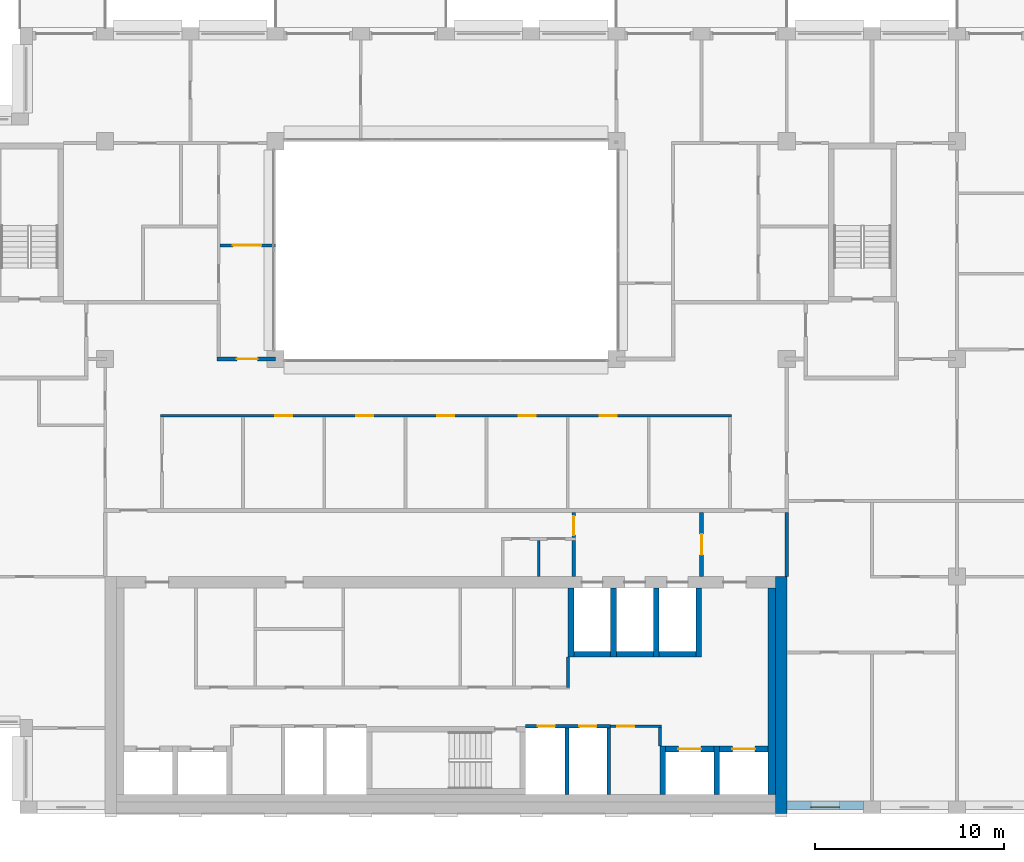
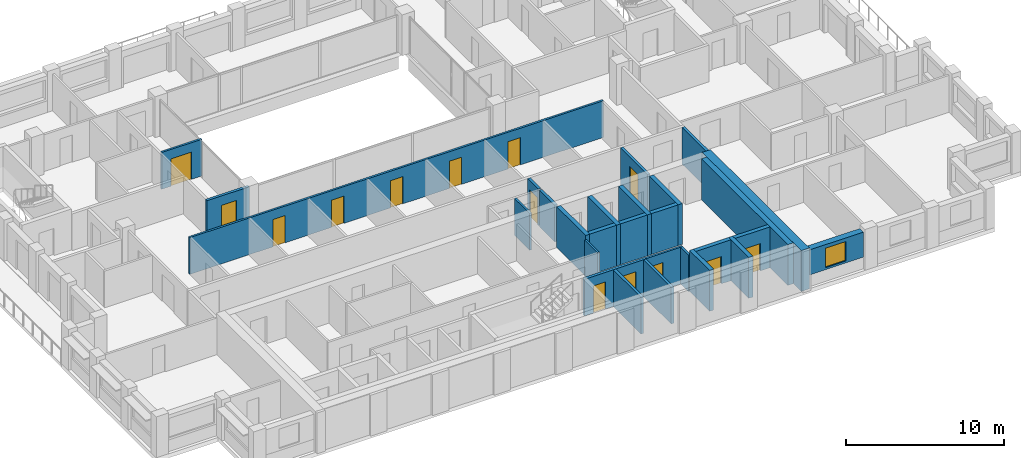
# One storey, part 10 of 15: 28 walls, 14 doors, 1 window, 15 openings.
"""IFC4 building model written with IfcOpenShell, lengths in metres."""

from ifc_helpers import new_model, si_unit, direction, frame, frame_2d, origin, place, context, subcontext, project, spatial, rectangle, extrude, material, layer, layer_set, type_object, element, fill, save


model = new_model("IFC4")

# Units and contexts
model_context = context("Model", 3, precision=1e-05, world=origin(), true_north=direction((0.0, 1.0)))
body_context = subcontext(model_context, "Body", "Model", "MODEL_VIEW")
ifc_project = project(units=[si_unit("LENGTHUNIT", "METRE"), si_unit("AREAUNIT", "SQUARE_METRE"), si_unit("VOLUMEUNIT", "CUBIC_METRE"), si_unit("PLANEANGLEUNIT", "RADIAN"), si_unit("MASSUNIT", "GRAM", prefix="KILO")], contexts=[model_context])

# Site, building, storey
site_placement = place(None, origin())
site = spatial("IfcSite", under=ifc_project, at=site_placement, CompositionType="ELEMENT")
building_placement = place(site_placement, origin())
building = spatial("IfcBuilding", under=site, at=building_placement, Name="Brigalow Station Residences", CompositionType="ELEMENT")
storey_placement = place(building_placement, frame((0.0, 0.0, 220.050048828125)))
storey = spatial("IfcBuildingStorey", under=building, at=storey_placement, Name="L63", CompositionType="ELEMENT", Elevation=220.050048828125)

# Wall, opening, window
ifc_material_1 = material(Name="Clay brick masonry", Category="masonry")
ifc_layer_1 = layer(ifc_material_1, 0.449951171875)
ifc_layer_set_1 = layer_set([ifc_layer_1], Name="BRICK INFILL WALL 450")
wall_type_1 = type_object("IfcWallType", Name="BRICK INFILL WALL 450", PredefinedType="SOLIDWALL", material=ifc_layer_set_1)
wall_1_placement = place(storey_placement, frame((54.0, 0.425048828125, 0.89990234375), z_axis=(0.0, 0.0, 1.0), x_axis=(1.0, 0.0, 0.0)))
wall_1 = element("IfcWall", 1, at=wall_1_placement, inside=storey, type_object=wall_type_1, Name="L63/ewall/W-L63-3", PredefinedType="SOLIDWALL", context=body_context, shape_type="SweptSolid", body=[
    extrude(rectangle(XDim=4.050048828125, YDim=0.449951171875, at=frame_2d((2.02490234375, 0.0))), origin(), (0.0, 0.0, 1.0), 1.929931640625),
])
opening_1_placement = place(wall_1_placement, frame((1.27490234375, 0.0, 0.14990234375)))
opening_1 = element("IfcOpeningElement", 2, at=opening_1_placement, cuts=wall_1, Name="Opening WT-1", PredefinedType="OPENING", context=body_context, shape_type="SweptSolid", body=[
    extrude(rectangle(XDim=1.5, YDim=1.5, at=frame_2d((0.75, 0.75))), frame((0.0, 0.23486328125, 0.0), z_axis=(0.0, -1.0, 0.0), x_axis=(1.0, 0.0, 0.0)), (0.0, 0.0, 1.0), 0.469970703125),
])
ifc_material_2 = material(Name="Anodised aluminium frame with double glazing", Category="aluminium")
window_type = type_object("IfcWindowType", Name="WINDOW 1500x1500", PartitioningType="SINGLE_PANEL", PredefinedType="WINDOW", material=ifc_material_2)
window_placement = place(opening_1_placement, origin())
window = element("IfcWindow", 3, at=window_placement, inside=storey, type_object=window_type, Name="L63/window/W-L63-3", OverallHeight=1.5, OverallWidth=1.5, PartitioningType="SINGLE_PANEL", PredefinedType="WINDOW", context=body_context, shape_type="SweptSolid", body=[
    extrude(rectangle(XDim=1.5, YDim=1.5, at=frame_2d((0.75, 0.75))), frame((0.0, -0.06494140625, 0.0), z_axis=(0.0, -1.0, 0.0), x_axis=(1.0, 0.0, 0.0)), (0.0, 0.0, 1.0), 0.06005859375),
])
fill(opening_1, window)

# Walls
ifc_material_3 = material(Name="Concrete C50", Category="concrete")
ifc_layer_2 = layer(ifc_material_3, 0.300048828125)
ifc_layer_set_2 = layer_set([ifc_layer_2], Name="CORE SHEAR WALL 300 C50")
wall_type_2 = type_object("IfcWallType", Name="CORE SHEAR WALL 300 C50", PredefinedType="SHEAR", material=ifc_layer_set_2)
wall_2_placement = place(storey_placement, frame((42.75, 8.39990234375, 0.0), z_axis=(0.0, 0.0, 1.0), x_axis=(1.0, 0.0, 0.0)))
element("IfcWall", 4, at=wall_2_placement, inside=storey, type_object=wall_type_2, Name="CORE WALL SH-FF1-S L63", PredefinedType="SHEAR", context=body_context, shape_type="SweptSolid", body=[
    extrude(rectangle(XDim=1.949951171875, YDim=0.300048828125, at=frame_2d((0.97509765625, 0.0))), origin(), (0.0, 0.0, 1.0), 3.14990234375),
])
wall_3_placement = place(storey_placement, frame((42.60009765625, 8.25, 0.0), z_axis=(0.0, 0.0, 1.0), x_axis=(0.0, 1.0, 0.0)))
element("IfcWall", 5, at=wall_3_placement, inside=storey, type_object=wall_type_2, Name="CORE WALL SH-FF1-W L63", PredefinedType="SHEAR", context=body_context, shape_type="SweptSolid", body=[
    extrude(rectangle(XDim=3.64990234375, YDim=0.300048828125, at=frame_2d((1.824951171875, 0.0))), origin(), (0.0, 0.0, 1.0), 3.14990234375),
])
wall_4_placement = place(storey_placement, frame((45.0, 8.39990234375, 0.0), z_axis=(0.0, 0.0, 1.0), x_axis=(1.0, 0.0, 0.0)))
element("IfcWall", 6, at=wall_4_placement, inside=storey, type_object=wall_type_2, Name="CORE WALL SH-FF2-S L63", PredefinedType="SHEAR", context=body_context, shape_type="SweptSolid", body=[
    extrude(rectangle(XDim=1.949951171875, YDim=0.300048828125, at=frame_2d((0.97509765625, 0.0))), origin(), (0.0, 0.0, 1.0), 3.14990234375),
])
wall_5_placement = place(storey_placement, frame((44.85009765625, 8.25, 0.0), z_axis=(0.0, 0.0, 1.0), x_axis=(0.0, 1.0, 0.0)))
element("IfcWall", 7, at=wall_5_placement, inside=storey, type_object=wall_type_2, Name="CORE WALL SH-FF2-W L63", PredefinedType="SHEAR", context=body_context, shape_type="SweptSolid", body=[
    extrude(rectangle(XDim=3.64990234375, YDim=0.300048828125, at=frame_2d((1.824951171875, 0.0))), origin(), (0.0, 0.0, 1.0), 3.14990234375),
])
wall_6_placement = place(storey_placement, frame((47.25, 8.39990234375, 0.0), z_axis=(0.0, 0.0, 1.0), x_axis=(1.0, 0.0, 0.0)))
element("IfcWall", 8, at=wall_6_placement, inside=storey, type_object=wall_type_2, Name="CORE WALL SH-SL1-S L63", PredefinedType="SHEAR", context=body_context, shape_type="SweptSolid", body=[
    extrude(rectangle(XDim=1.949951171875, YDim=0.300048828125, at=frame_2d((0.97509765625, 0.0))), origin(), (0.0, 0.0, 1.0), 3.14990234375),
])
for number, where, z_axis, x_axis, name in (
    (9, (47.10009765625, 8.25, 0.0), (0.0, 0.0, 1.0), (0.0, 1.0, 0.0), "CORE WALL SH-SL1-W L63"),
    (10, (49.35009765625, 8.25, 0.0), (0.0, 0.0, 1.0), (0.0, 1.0, 0.0), "CORE WALL SH-SL1-E L63"),
):
    element("IfcWall", number, at=place(storey_placement, frame(where, z_axis=z_axis, x_axis=x_axis)), inside=storey, type_object=wall_type_2, Name=name, PredefinedType="SHEAR", context=body_context, shape_type="SweptSolid", body=[
        extrude(rectangle(XDim=3.64990234375, YDim=0.300048828125, at=frame_2d((1.824951171875, 0.0))), origin(), (0.0, 0.0, 1.0), 3.14990234375),
    ])

# Wall, opening, door
wall_7_placement = place(storey_placement, frame((47.60009765625, 3.39990234375, 0.0), z_axis=(0.0, 0.0, 1.0), x_axis=(1.0, 0.0, 0.0)))
wall_7 = element("IfcWall", 11, at=wall_7_placement, inside=storey, type_object=wall_type_2, Name="CORE WALL SH-C3-N L63", PredefinedType="SHEAR", context=body_context, shape_type="SweptSolid", body=[
    extrude(rectangle(XDim=2.5498046875, YDim=0.300048828125, at=frame_2d((1.27490234375, 0.0))), origin(), (0.0, 0.0, 1.0), 3.14990234375),
])
opening_2_placement = place(wall_7_placement, frame((0.675048828125, 0.0, 0.0)))
opening_2 = element("IfcOpeningElement", 12, at=opening_2_placement, cuts=wall_7, Name="Opening LD-LB3", PredefinedType="OPENING", context=body_context, shape_type="SweptSolid", body=[
    extrude(rectangle(XDim=1.199951171875, YDim=2.10009765625, at=frame_2d((0.60009765625, 1.050048828125))), frame((0.0, 0.16015625, 0.0), z_axis=(0.0, -1.0, 0.0), x_axis=(1.0, 0.0, 0.0)), (0.0, 0.0, 1.0), 0.320068359375),
])
ifc_material_4 = material(Name="Stainless steel sliding door leaves", Category="steel")
door_type_1 = type_object("IfcDoorType", Name="LIFT LANDING DOOR 1200 x 2100", OperationType="DOUBLE_DOOR_SLIDING", PredefinedType="DOOR", material=ifc_material_4)
door_1_placement = place(opening_2_placement, origin())
door_1 = element("IfcDoor", 13, at=door_1_placement, inside=storey, type_object=door_type_1, Name="LANDING DOOR LB3", OperationType="DOUBLE_DOOR_SLIDING", OverallHeight=2.10009765625, OverallWidth=1.199951171875, PredefinedType="DOOR", context=body_context, shape_type="SweptSolid", body=[
    extrude(rectangle(XDim=1.199951171875, YDim=2.10009765625, at=frame_2d((0.60009765625, 1.050048828125))), frame((0.0, 0.02490234375, 0.0), z_axis=(0.0, -1.0, 0.0), x_axis=(1.0, 0.0, 0.0)), (0.0, 0.0, 1.0), 0.050048828125),
])
fill(opening_2, door_1)

# Wall
wall_8_placement = place(storey_placement, frame((47.449951171875, 1.0, 0.0), z_axis=(0.0, 0.0, 1.0), x_axis=(0.0, 1.0, 0.0)))
element("IfcWall", 14, at=wall_8_placement, inside=storey, type_object=wall_type_2, Name="CORE WALL SH-C3-W L63", PredefinedType="SHEAR", context=body_context, shape_type="SweptSolid", body=[
    extrude(rectangle(XDim=2.550048828125, YDim=0.300048828125, at=frame_2d((1.27490234375, 0.0))), origin(), (0.0, 0.0, 1.0), 3.14990234375),
])

# Wall, opening, door
wall_9_placement = place(storey_placement, frame((50.449951171875, 3.39990234375, 0.0), z_axis=(0.0, 0.0, 1.0), x_axis=(1.0, 0.0, 0.0)))
wall_9 = element("IfcWall", 15, at=wall_9_placement, inside=storey, type_object=wall_type_2, Name="CORE WALL SH-C4-N L63", PredefinedType="SHEAR", context=body_context, shape_type="SweptSolid", body=[
    extrude(rectangle(XDim=2.550048828125, YDim=0.300048828125, at=frame_2d((1.27490234375, 0.0))), origin(), (0.0, 0.0, 1.0), 3.14990234375),
])
opening_3_placement = place(wall_9_placement, frame((0.675048828125, 0.0, 0.0)))
opening_3 = element("IfcOpeningElement", 16, at=opening_3_placement, cuts=wall_9, Name="Opening LD-LB4", PredefinedType="OPENING", context=body_context, shape_type="SweptSolid", body=[
    extrude(rectangle(XDim=1.199951171875, YDim=2.10009765625, at=frame_2d((0.60009765625, 1.050048828125))), frame((0.0, 0.16015625, 0.0), z_axis=(0.0, -1.0, 0.0), x_axis=(1.0, 0.0, 0.0)), (0.0, 0.0, 1.0), 0.320068359375),
])
door_2_placement = place(opening_3_placement, origin())
door_2 = element("IfcDoor", 17, at=door_2_placement, inside=storey, type_object=door_type_1, Name="LANDING DOOR LB4", OperationType="DOUBLE_DOOR_SLIDING", OverallHeight=2.10009765625, OverallWidth=1.199951171875, PredefinedType="DOOR", context=body_context, shape_type="SweptSolid", body=[
    extrude(rectangle(XDim=1.199951171875, YDim=2.10009765625, at=frame_2d((0.60009765625, 1.050048828125))), frame((0.0, 0.02490234375, 0.0), z_axis=(0.0, -1.0, 0.0), x_axis=(1.0, 0.0, 0.0)), (0.0, 0.0, 1.0), 0.050048828125),
])
fill(opening_3, door_2)

# Walls
wall_10_placement = place(storey_placement, frame((50.300048828125, 1.0, 0.0), z_axis=(0.0, 0.0, 1.0), x_axis=(0.0, 1.0, 0.0)))
element("IfcWall", 18, at=wall_10_placement, inside=storey, type_object=wall_type_2, Name="CORE WALL SH-C4-W L63", PredefinedType="SHEAR", context=body_context, shape_type="SweptSolid", body=[
    extrude(rectangle(XDim=2.550048828125, YDim=0.300048828125, at=frame_2d((1.27490234375, 0.0))), origin(), (0.0, 0.0, 1.0), 3.14990234375),
])
ifc_material_5 = material(Name="Concrete C50", Category="concrete")
ifc_layer_3 = layer(ifc_material_5, 0.39990234375)
ifc_layer_set_3 = layer_set([ifc_layer_3], Name="CORE SHEAR WALL 400 C50")
wall_type_3 = type_object("IfcWallType", Name="CORE SHEAR WALL 400 C50", PredefinedType="SHEAR", material=ifc_layer_set_3)
wall_11_placement = place(storey_placement, frame((53.199951171875, 1.0, 0.0), z_axis=(0.0, 0.0, 1.0), x_axis=(0.0, 1.0, 0.0)))
element("IfcWall", 19, at=wall_11_placement, inside=storey, type_object=wall_type_3, Name="CORE WALL LIN-E L63", PredefinedType="SHEAR", context=body_context, shape_type="SweptSolid", body=[
    extrude(rectangle(XDim=10.89990234375, YDim=0.39990234375, at=frame_2d((5.449951171875, 0.0))), origin(), (0.0, 0.0, 1.0), 3.14990234375),
])
ifc_material_6 = material(Name="Concrete C50", Category="concrete")
ifc_layer_4 = layer(ifc_material_6, 0.60009765625)
ifc_layer_set_4 = layer_set([ifc_layer_4], Name="CORE SHEAR WALL 600 C50")
wall_type_4 = type_object("IfcWallType", Name="CORE SHEAR WALL 600 C50", PredefinedType="SHEAR", material=ifc_layer_set_4)
wall_12_placement = place(storey_placement, frame((53.699951171875, 0.0, 0.0), z_axis=(0.0, 0.0, 1.0), x_axis=(0.0, 1.0, 0.0)))
element("IfcWall", 20, at=wall_12_placement, inside=storey, type_object=wall_type_4, Name="CORE WALL OUT-E L63", PredefinedType="SHEAR", context=body_context, shape_type="SweptSolid", body=[
    extrude(rectangle(XDim=12.5, YDim=0.60009765625, at=frame_2d((6.25, 0.0))), origin(), (0.0, 0.0, 1.0), 3.14990234375),
])

# Wall, openings, doors
ifc_material_7 = material(Name="Concrete blockwork", Category="masonry")
ifc_layer_5 = layer(ifc_material_7, 0.199951171875)
ifc_layer_set_5 = layer_set([ifc_layer_5], Name="FIRE RATED CORE PARTITION 200")
wall_type_5 = type_object("IfcWallType", Name="FIRE RATED CORE PARTITION 200", PredefinedType="PARTITIONING", material=ifc_layer_set_5)
wall_13_placement = place(storey_placement, frame((40.199951171875, 4.60009765625, 0.0), z_axis=(0.0, 0.0, 1.0), x_axis=(1.0, 0.0, 0.0)))
wall_13 = element("IfcWall", 21, at=wall_13_placement, inside=storey, type_object=wall_type_5, Name="PW-5018", PredefinedType="PARTITIONING", context=body_context, shape_type="SweptSolid", body=[
    extrude(rectangle(XDim=4.5, YDim=0.199951171875, at=frame_2d((2.25, 0.0))), origin(), (0.0, 0.0, 1.0), 2.829833984375),
])
opening_4_placement = place(wall_13_placement, frame((0.64990234375, 0.0, 0.0)))
opening_4 = element("IfcOpeningElement", 22, at=opening_4_placement, cuts=wall_13, Name="Opening D-5009", PredefinedType="OPENING", context=body_context, shape_type="SweptSolid", body=[
    extrude(rectangle(XDim=0.89990234375, YDim=2.10009765625, at=frame_2d((0.449951171875, 1.050048828125))), frame((0.0, 0.10986328125, 0.0), z_axis=(0.0, -1.0, 0.0), x_axis=(1.0, 0.0, 0.0)), (0.0, 0.0, 1.0), 0.219970703125),
])
opening_5_placement = place(wall_13_placement, frame((2.85009765625, 0.0, 0.0)))
opening_5 = element("IfcOpeningElement", 23, at=opening_5_placement, cuts=wall_13, Name="Opening D-5010", PredefinedType="OPENING", context=body_context, shape_type="SweptSolid", body=[
    extrude(rectangle(XDim=0.89990234375, YDim=2.10009765625, at=frame_2d((0.449951171875, 1.050048828125))), frame((0.0, 0.10986328125, 0.0), z_axis=(0.0, -1.0, 0.0), x_axis=(1.0, 0.0, 0.0)), (0.0, 0.0, 1.0), 0.219970703125),
])
ifc_material_8 = material(Name="Steel fire door leaf in steel frame", Category="steel")
door_type_2 = type_object("IfcDoorType", Name="RISER ACCESS DOOR 900 x 2100 FD120", OperationType="SINGLE_SWING_LEFT", PredefinedType="DOOR", material=ifc_material_8)
door_3_placement = place(opening_4_placement, frame((0.89990234375, 0.0, 0.0), z_axis=(0.0, 0.0, 1.0), x_axis=(-1.0, 0.0, 0.0)))
door_3 = element("IfcDoor", 24, at=door_3_placement, inside=storey, type_object=door_type_2, Name="D-5009", OperationType="SINGLE_SWING_LEFT", OverallHeight=2.10009765625, OverallWidth=0.89990234375, PredefinedType="DOOR", context=body_context, shape_type="SweptSolid", body=[
    extrude(rectangle(XDim=0.89990234375, YDim=2.10009765625, at=frame_2d((0.449951171875, 1.050048828125))), frame((0.0, 0.02490234375, 0.0), z_axis=(0.0, -1.0, 0.0), x_axis=(1.0, 0.0, 0.0)), (0.0, 0.0, 1.0), 0.050048828125),
])
fill(opening_4, door_3)
door_4_placement = place(opening_5_placement, frame((0.89990234375, 0.0, 0.0), z_axis=(0.0, 0.0, 1.0), x_axis=(-1.0, 0.0, 0.0)))
door_4 = element("IfcDoor", 25, at=door_4_placement, inside=storey, type_object=door_type_2, Name="D-5010", OperationType="SINGLE_SWING_LEFT", OverallHeight=2.10009765625, OverallWidth=0.89990234375, PredefinedType="DOOR", context=body_context, shape_type="SweptSolid", body=[
    extrude(rectangle(XDim=0.89990234375, YDim=2.10009765625, at=frame_2d((0.449951171875, 1.050048828125))), frame((0.0, 0.02490234375, 0.0), z_axis=(0.0, -1.0, 0.0), x_axis=(1.0, 0.0, 0.0)), (0.0, 0.0, 1.0), 0.050048828125),
])
fill(opening_5, door_4)

# Walls
for number, where, z_axis, x_axis, name in (
    (26, (42.39990234375, 1.0, 0.0), (0.0, 0.0, 1.0), (0.0, 1.0, 0.0), "PW-5007"),
    (27, (44.60009765625, 1.0, 0.0), (0.0, 0.0, 1.0), (0.0, 1.0, 0.0), "PW-5008"),
):
    element("IfcWall", number, at=place(storey_placement, frame(where, z_axis=z_axis, x_axis=x_axis)), inside=storey, type_object=wall_type_5, Name=name, PredefinedType="PARTITIONING", context=body_context, shape_type="SweptSolid", body=[
        extrude(rectangle(XDim=3.5, YDim=0.199951171875, at=frame_2d((1.75, 0.0))), origin(), (0.0, 0.0, 1.0), 2.829833984375),
    ])
wall_14_placement = place(storey_placement, frame((42.75, 12.5, 0.0), z_axis=(0.0, 0.0, 1.0), x_axis=(0.0, 1.0, 0.0)))
element("IfcWall", 28, at=wall_14_placement, inside=storey, type_object=wall_type_5, Name="PW-5046", PredefinedType="PARTITIONING", context=body_context, shape_type="SweptSolid", body=[
    extrude(rectangle(XDim=1.925048828125, YDim=0.199951171875, at=frame_2d((0.96240234375, 0.0))), origin(), (0.0, 0.0, 1.0), 2.829833984375),
])

# Wall, opening, door
wall_15_placement = place(storey_placement, frame((49.5, 12.5, 0.0), z_axis=(0.0, 0.0, 1.0), x_axis=(0.0, 1.0, 0.0)))
wall_15 = element("IfcWall", 29, at=wall_15_placement, inside=storey, type_object=wall_type_5, Name="PW-5015", PredefinedType="PARTITIONING", context=body_context, shape_type="SweptSolid", body=[
    extrude(rectangle(XDim=3.39990234375, YDim=0.199951171875, at=frame_2d((1.699951171875, 0.0))), origin(), (0.0, 0.0, 1.0), 2.829833984375),
])
opening_6_placement = place(wall_15_placement, frame((1.14990234375, 0.0, 0.0)))
opening_6 = element("IfcOpeningElement", 30, at=opening_6_placement, cuts=wall_15, Name="Opening D-5014", PredefinedType="OPENING", context=body_context, shape_type="SweptSolid", body=[
    extrude(rectangle(XDim=1.10009765625, YDim=2.10009765625, at=frame_2d((0.550048828125, 1.050048828125))), frame((0.0, 0.10986328125, 0.0), z_axis=(0.0, -1.0, 0.0), x_axis=(1.0, 0.0, 0.0)), (0.0, 0.0, 1.0), 0.219970703125),
])
ifc_material_9 = material(Name="Steel fire door leaf in steel frame", Category="steel")
door_type_3 = type_object("IfcDoorType", Name="LOBBY DOOR 1100 x 2100 FD60S", OperationType="SINGLE_SWING_LEFT", PredefinedType="DOOR", material=ifc_material_9)
door_5_placement = place(opening_6_placement, origin())
door_5 = element("IfcDoor", 31, at=door_5_placement, inside=storey, type_object=door_type_3, Name="D-5014", OperationType="SINGLE_SWING_LEFT", OverallHeight=2.10009765625, OverallWidth=1.10009765625, PredefinedType="DOOR", context=body_context, shape_type="SweptSolid", body=[
    extrude(rectangle(XDim=1.10009765625, YDim=2.10009765625, at=frame_2d((0.550048828125, 1.050048828125))), frame((0.0, 0.02490234375, 0.0), z_axis=(0.0, -1.0, 0.0), x_axis=(1.0, 0.0, 0.0)), (0.0, 0.0, 1.0), 0.050048828125),
])
fill(opening_6, door_5)

# Wall
wall_16_placement = place(storey_placement, frame((54.0, 12.5, 0.0), z_axis=(0.0, 0.0, 1.0), x_axis=(0.0, 1.0, 0.0)))
element("IfcWall", 32, at=wall_16_placement, inside=storey, type_object=wall_type_5, Name="PW-5016", PredefinedType="PARTITIONING", context=body_context, shape_type="SweptSolid", body=[
    extrude(rectangle(XDim=3.39990234375, YDim=0.199951171875, at=frame_2d((1.699951171875, 0.0))), origin(), (0.0, 0.0, 1.0), 2.829833984375),
])

# Wall, opening, door
wall_17_placement = place(storey_placement, frame((42.75, 14.574951171875, 0.0), z_axis=(0.0, 0.0, 1.0), x_axis=(0.0, 1.0, 0.0)))
wall_17 = element("IfcWall", 33, at=wall_17_placement, inside=storey, type_object=wall_type_5, Name="PW-5047", PredefinedType="PARTITIONING", context=body_context, shape_type="SweptSolid", body=[
    extrude(rectangle(XDim=1.324951171875, YDim=0.199951171875, at=frame_2d((0.66259765625, 0.0))), origin(), (0.0, 0.0, 1.0), 2.829833984375),
])
opening_7_placement = place(wall_17_placement, frame((0.125, 0.0, 0.0)))
opening_7 = element("IfcOpeningElement", 34, at=opening_7_placement, cuts=wall_17, Name="Opening D-5013", PredefinedType="OPENING", context=body_context, shape_type="SweptSolid", body=[
    extrude(rectangle(XDim=1.0, YDim=2.10009765625, at=frame_2d((0.5, 1.050048828125))), frame((0.0, 0.10986328125, 0.0), z_axis=(0.0, -1.0, 0.0), x_axis=(1.0, 0.0, 0.0)), (0.0, 0.0, 1.0), 0.219970703125),
])
ifc_material_10 = material(Name="Steel fire door leaf in steel frame", Category="steel")
door_type_4 = type_object("IfcDoorType", Name="LOBBY DOOR 1000 x 2100 FD60S", OperationType="SINGLE_SWING_LEFT", PredefinedType="DOOR", material=ifc_material_10)
door_6_placement = place(opening_7_placement, origin())
door_6 = element("IfcDoor", 35, at=door_6_placement, inside=storey, type_object=door_type_4, Name="D-5013", OperationType="SINGLE_SWING_LEFT", OverallHeight=2.10009765625, OverallWidth=1.0, PredefinedType="DOOR", context=body_context, shape_type="SweptSolid", body=[
    extrude(rectangle(XDim=1.0, YDim=2.10009765625, at=frame_2d((0.5, 1.050048828125))), frame((0.0, 0.02490234375, 0.0), z_axis=(0.0, -1.0, 0.0), x_axis=(1.0, 0.0, 0.0)), (0.0, 0.0, 1.0), 0.050048828125),
])
fill(opening_7, door_6)

# Wall, openings, doors
ifc_material_11 = material(Name="Plasterboard on steel stud partition", Category="steel")
ifc_layer_6 = layer(ifc_material_11, 0.14990234375)
ifc_layer_set_6 = layer_set([ifc_layer_6], Name="FLAT PARTITION 150")
wall_type_6 = type_object("IfcWallType", Name="FLAT PARTITION 150", PredefinedType="PARTITIONING", material=ifc_layer_set_6)
wall_18_placement = place(storey_placement, frame((20.925048828125, 21.0, 0.0), z_axis=(0.0, 0.0, 1.0), x_axis=(1.0, 0.0, 0.0)))
wall_18 = element("IfcWall", 36, at=wall_18_placement, inside=storey, type_object=wall_type_6, Name="PW-4C06", PredefinedType="PARTITIONING", context=body_context, shape_type="SweptSolid", body=[
    extrude(rectangle(XDim=30.14990234375, YDim=0.14990234375, at=frame_2d((15.074951171875, 0.0))), origin(), (0.0, 0.0, 1.0), 2.829833984375),
])
opening_8_placement = place(wall_18_placement, frame((6.052978515625, 0.0, 0.0)))
opening_8 = element("IfcOpeningElement", 37, at=opening_8_placement, cuts=wall_18, Name="Opening D-4C38", PredefinedType="OPENING", context=body_context, shape_type="SweptSolid", body=[
    extrude(rectangle(XDim=0.89990234375, YDim=2.10009765625, at=frame_2d((0.449951171875, 1.050048828125))), frame((0.0, 0.0849609375, 0.0), z_axis=(0.0, -1.0, 0.0), x_axis=(1.0, 0.0, 0.0)), (0.0, 0.0, 1.0), 0.169921875),
])
opening_9_placement = place(wall_18_placement, frame((10.339111328125, 0.0, 0.0)))
opening_9 = element("IfcOpeningElement", 38, at=opening_9_placement, cuts=wall_18, Name="Opening D-4C39", PredefinedType="OPENING", context=body_context, shape_type="SweptSolid", body=[
    extrude(rectangle(XDim=0.89990234375, YDim=2.10009765625, at=frame_2d((0.449951171875, 1.050048828125))), frame((0.0, 0.0849609375, 0.0), z_axis=(0.0, -1.0, 0.0), x_axis=(1.0, 0.0, 0.0)), (0.0, 0.0, 1.0), 0.169921875),
])
opening_10_placement = place(wall_18_placement, frame((14.625, 0.0, 0.0)))
opening_10 = element("IfcOpeningElement", 39, at=opening_10_placement, cuts=wall_18, Name="Opening D-4C40", PredefinedType="OPENING", context=body_context, shape_type="SweptSolid", body=[
    extrude(rectangle(XDim=0.89990234375, YDim=2.10009765625, at=frame_2d((0.449951171875, 1.050048828125))), frame((0.0, 0.0849609375, 0.0), z_axis=(0.0, -1.0, 0.0), x_axis=(1.0, 0.0, 0.0)), (0.0, 0.0, 1.0), 0.169921875),
])
opening_11_placement = place(wall_18_placement, frame((18.910888671875, 0.0, 0.0)))
opening_11 = element("IfcOpeningElement", 40, at=opening_11_placement, cuts=wall_18, Name="Opening D-4C41", PredefinedType="OPENING", context=body_context, shape_type="SweptSolid", body=[
    extrude(rectangle(XDim=0.89990234375, YDim=2.10009765625, at=frame_2d((0.449951171875, 1.050048828125))), frame((0.0, 0.0849609375, 0.0), z_axis=(0.0, -1.0, 0.0), x_axis=(1.0, 0.0, 0.0)), (0.0, 0.0, 1.0), 0.169921875),
])
opening_12_placement = place(wall_18_placement, frame((23.197021484375, 0.0, 0.0)))
opening_12 = element("IfcOpeningElement", 41, at=opening_12_placement, cuts=wall_18, Name="Opening D-4C42", PredefinedType="OPENING", context=body_context, shape_type="SweptSolid", body=[
    extrude(rectangle(XDim=0.89990234375, YDim=2.10009765625, at=frame_2d((0.449951171875, 1.050048828125))), frame((0.0, 0.0849609375, 0.0), z_axis=(0.0, -1.0, 0.0), x_axis=(1.0, 0.0, 0.0)), (0.0, 0.0, 1.0), 0.169921875),
])
ifc_material_12 = material(Name="Solid-core timber door leaf", Category="wood")
door_type_5 = type_object("IfcDoorType", Name="INTERNAL DOOR 900 x 2100", OperationType="SINGLE_SWING_LEFT", PredefinedType="DOOR", material=ifc_material_12)
door_7_placement = place(opening_8_placement, frame((0.89990234375, 0.0, 0.0), z_axis=(0.0, 0.0, 1.0), x_axis=(-1.0, 0.0, 0.0)))
door_7 = element("IfcDoor", 42, at=door_7_placement, inside=storey, type_object=door_type_5, Name="D-4C38", OperationType="SINGLE_SWING_RIGHT", OverallHeight=2.10009765625, OverallWidth=0.89990234375, PredefinedType="DOOR", context=body_context, shape_type="SweptSolid", body=[
    extrude(rectangle(XDim=0.89990234375, YDim=2.10009765625, at=frame_2d((0.449951171875, 1.050048828125))), frame((0.0, 0.02490234375, 0.0), z_axis=(0.0, -1.0, 0.0), x_axis=(1.0, 0.0, 0.0)), (0.0, 0.0, 1.0), 0.050048828125),
])
fill(opening_8, door_7)
door_8_placement = place(opening_9_placement, frame((0.89990234375, 0.0, 0.0), z_axis=(0.0, 0.0, 1.0), x_axis=(-1.0, 0.0, 0.0)))
door_8 = element("IfcDoor", 43, at=door_8_placement, inside=storey, type_object=door_type_5, Name="D-4C39", OperationType="SINGLE_SWING_LEFT", OverallHeight=2.10009765625, OverallWidth=0.89990234375, PredefinedType="DOOR", context=body_context, shape_type="SweptSolid", body=[
    extrude(rectangle(XDim=0.89990234375, YDim=2.10009765625, at=frame_2d((0.449951171875, 1.050048828125))), frame((0.0, 0.02490234375, 0.0), z_axis=(0.0, -1.0, 0.0), x_axis=(1.0, 0.0, 0.0)), (0.0, 0.0, 1.0), 0.050048828125),
])
fill(opening_9, door_8)
door_9_placement = place(opening_10_placement, frame((0.89990234375, 0.0, 0.0), z_axis=(0.0, 0.0, 1.0), x_axis=(-1.0, 0.0, 0.0)))
door_9 = element("IfcDoor", 44, at=door_9_placement, inside=storey, type_object=door_type_5, Name="D-4C40", OperationType="SINGLE_SWING_LEFT", OverallHeight=2.10009765625, OverallWidth=0.89990234375, PredefinedType="DOOR", context=body_context, shape_type="SweptSolid", body=[
    extrude(rectangle(XDim=0.89990234375, YDim=2.10009765625, at=frame_2d((0.449951171875, 1.050048828125))), frame((0.0, 0.02490234375, 0.0), z_axis=(0.0, -1.0, 0.0), x_axis=(1.0, 0.0, 0.0)), (0.0, 0.0, 1.0), 0.050048828125),
])
fill(opening_10, door_9)
door_10_placement = place(opening_11_placement, frame((0.89990234375, 0.0, 0.0), z_axis=(0.0, 0.0, 1.0), x_axis=(-1.0, 0.0, 0.0)))
door_10 = element("IfcDoor", 45, at=door_10_placement, inside=storey, type_object=door_type_5, Name="D-4C41", OperationType="SINGLE_SWING_RIGHT", OverallHeight=2.10009765625, OverallWidth=0.89990234375, PredefinedType="DOOR", context=body_context, shape_type="SweptSolid", body=[
    extrude(rectangle(XDim=0.89990234375, YDim=2.10009765625, at=frame_2d((0.449951171875, 1.050048828125))), frame((0.0, 0.02490234375, 0.0), z_axis=(0.0, -1.0, 0.0), x_axis=(1.0, 0.0, 0.0)), (0.0, 0.0, 1.0), 0.050048828125),
])
fill(opening_11, door_10)
door_11_placement = place(opening_12_placement, frame((0.89990234375, 0.0, 0.0), z_axis=(0.0, 0.0, 1.0), x_axis=(-1.0, 0.0, 0.0)))
door_11 = element("IfcDoor", 46, at=door_11_placement, inside=storey, type_object=door_type_5, Name="D-4C42", OperationType="SINGLE_SWING_LEFT", OverallHeight=2.10009765625, OverallWidth=0.89990234375, PredefinedType="DOOR", context=body_context, shape_type="SweptSolid", body=[
    extrude(rectangle(XDim=0.89990234375, YDim=2.10009765625, at=frame_2d((0.449951171875, 1.050048828125))), frame((0.0, 0.02490234375, 0.0), z_axis=(0.0, -1.0, 0.0), x_axis=(1.0, 0.0, 0.0)), (0.0, 0.0, 1.0), 0.050048828125),
])
fill(opening_12, door_11)

# Wall, opening, door
wall_19_placement = place(storey_placement, frame((24.074951171875, 30.0, 0.0), z_axis=(0.0, 0.0, 1.0), x_axis=(1.0, 0.0, 0.0)))
wall_19 = element("IfcWall", 47, at=wall_19_placement, inside=storey, type_object=wall_type_6, Name="PW-4C13", PredefinedType="PARTITIONING", context=body_context, shape_type="SweptSolid", body=[
    extrude(rectangle(XDim=2.925048828125, YDim=0.14990234375, at=frame_2d((1.46240234375, 0.0))), origin(), (0.0, 0.0, 1.0), 2.829833984375),
])
opening_13_placement = place(wall_19_placement, frame((0.675048828125, 0.0, 0.0)))
opening_13 = element("IfcOpeningElement", 48, at=opening_13_placement, cuts=wall_19, Name="Opening D-4C08", PredefinedType="OPENING", context=body_context, shape_type="SweptSolid", body=[
    extrude(rectangle(XDim=1.5, YDim=2.10009765625, at=frame_2d((0.75, 1.050048828125))), frame((0.0, 0.0849609375, 0.0), z_axis=(0.0, -1.0, 0.0), x_axis=(1.0, 0.0, 0.0)), (0.0, 0.0, 1.0), 0.169921875),
])
ifc_material_13 = material(Name="Solid-core timber door leaf", Category="wood")
door_type_6 = type_object("IfcDoorType", Name="INTERNAL DOUBLE DOOR 1500 x 2100", OperationType="DOUBLE_DOOR_SINGLE_SWING", PredefinedType="DOOR", material=ifc_material_13)
door_12_placement = place(opening_13_placement, frame((1.5, 0.0, 0.0), z_axis=(0.0, 0.0, 1.0), x_axis=(-1.0, 0.0, 0.0)))
door_12 = element("IfcDoor", 49, at=door_12_placement, inside=storey, type_object=door_type_6, Name="D-4C08", OperationType="DOUBLE_DOOR_SINGLE_SWING", OverallHeight=2.10009765625, OverallWidth=1.5, PredefinedType="DOOR", context=body_context, shape_type="SweptSolid", body=[
    extrude(rectangle(XDim=1.5, YDim=2.10009765625, at=frame_2d((0.75, 1.050048828125))), frame((0.0, 0.02490234375, 0.0), z_axis=(0.0, -1.0, 0.0), x_axis=(1.0, 0.0, 0.0)), (0.0, 0.0, 1.0), 0.050048828125),
])
fill(opening_13, door_12)

ifc_material_14 = material(Name="Plasterboard on steel stud partition", Category="steel")
ifc_layer_7 = layer(ifc_material_14, 0.199951171875)
ifc_layer_set_7 = layer_set([ifc_layer_7], Name="PARTY AND CORRIDOR WALL 200")
wall_type_7 = type_object("IfcWallType", Name="PARTY AND CORRIDOR WALL 200", PredefinedType="PARTITIONING", material=ifc_layer_set_7)
wall_20_placement = place(storey_placement, frame((23.89990234375, 24.0, 0.0), z_axis=(0.0, 0.0, 1.0), x_axis=(1.0, 0.0, 0.0)))
wall_20 = element("IfcWall", 50, at=wall_20_placement, inside=storey, type_object=wall_type_7, Name="PW-4C03", PredefinedType="PARTITIONING", context=body_context, shape_type="SweptSolid", body=[
    extrude(rectangle(XDim=3.10009765625, YDim=0.199951171875, at=frame_2d((1.550048828125, 0.0))), origin(), (0.0, 0.0, 1.0), 2.829833984375),
])
opening_14_placement = place(wall_20_placement, frame((1.050048828125, 0.0, 0.0)))
opening_14 = element("IfcOpeningElement", 51, at=opening_14_placement, cuts=wall_20, Name="Opening D-4C07", PredefinedType="OPENING", context=body_context, shape_type="SweptSolid", body=[
    extrude(rectangle(XDim=1.10009765625, YDim=2.10009765625, at=frame_2d((0.550048828125, 1.050048828125))), frame((0.0, 0.10986328125, 0.0), z_axis=(0.0, -1.0, 0.0), x_axis=(1.0, 0.0, 0.0)), (0.0, 0.0, 1.0), 0.219970703125),
])
ifc_material_15 = material(Name="Solid-core timber door leaf", Category="wood")
door_type_7 = type_object("IfcDoorType", Name="FLAT ENTRANCE DOOR 1100 x 2100 FRL -/60/30", OperationType="SINGLE_SWING_LEFT", PredefinedType="DOOR", material=ifc_material_15)
door_13_placement = place(opening_14_placement, origin())
door_13 = element("IfcDoor", 52, at=door_13_placement, inside=storey, type_object=door_type_7, Name="D-4C07", OperationType="SINGLE_SWING_LEFT", OverallHeight=2.10009765625, OverallWidth=1.10009765625, PredefinedType="DOOR", context=body_context, shape_type="SweptSolid", body=[
    extrude(rectangle(XDim=1.10009765625, YDim=2.10009765625, at=frame_2d((0.550048828125, 1.050048828125))), frame((0.0, 0.02490234375, 0.0), z_axis=(0.0, -1.0, 0.0), x_axis=(1.0, 0.0, 0.0)), (0.0, 0.0, 1.0), 0.050048828125),
])
fill(opening_14, door_13)

ifc_material_16 = material(Name="Plasterboard on steel studs", Category="steel")
ifc_layer_8 = layer(ifc_material_16, 0.14990234375)
ifc_layer_set_8 = layer_set([ifc_layer_8], Name="SERVICE ROOM PARTITION 150")
wall_type_8 = type_object("IfcWallType", Name="SERVICE ROOM PARTITION 150", PredefinedType="PARTITIONING", material=ifc_layer_set_8)
wall_21_placement = place(storey_placement, frame((44.699951171875, 4.60009765625, 0.0), z_axis=(0.0, 0.0, 1.0), x_axis=(1.0, 0.0, 0.0)))
wall_21 = element("IfcWall", 53, at=wall_21_placement, inside=storey, type_object=wall_type_8, Name="PW-5156", PredefinedType="PARTITIONING", context=body_context, shape_type="SweptSolid", body=[
    extrude(rectangle(XDim=2.675048828125, YDim=0.14990234375, at=frame_2d((1.33740234375, 0.0))), origin(), (0.0, 0.0, 1.0), 2.829833984375),
])
opening_15_placement = place(wall_21_placement, frame((0.35009765625, 0.0, 0.0)))
opening_15 = element("IfcOpeningElement", 54, at=opening_15_placement, cuts=wall_21, Name="Opening D-5026", PredefinedType="OPENING", context=body_context, shape_type="SweptSolid", body=[
    extrude(rectangle(XDim=0.89990234375, YDim=2.10009765625, at=frame_2d((0.449951171875, 1.050048828125))), frame((0.0, 0.0849609375, 0.0), z_axis=(0.0, -1.0, 0.0), x_axis=(1.0, 0.0, 0.0)), (0.0, 0.0, 1.0), 0.169921875),
])
ifc_material_17 = material(Name="Steel door leaf in steel frame", Category="steel")
door_type_8 = type_object("IfcDoorType", Name="SERVICE ROOM DOOR 900 x 2100 FD60", OperationType="SINGLE_SWING_LEFT", PredefinedType="DOOR", material=ifc_material_17)
door_14_placement = place(opening_15_placement, frame((0.89990234375, 0.0, 0.0), z_axis=(0.0, 0.0, 1.0), x_axis=(-1.0, 0.0, 0.0)))
door_14 = element("IfcDoor", 55, at=door_14_placement, inside=storey, type_object=door_type_8, Name="D-5026", OperationType="SINGLE_SWING_RIGHT", OverallHeight=2.10009765625, OverallWidth=0.89990234375, PredefinedType="DOOR", context=body_context, shape_type="SweptSolid", body=[
    extrude(rectangle(XDim=0.89990234375, YDim=2.10009765625, at=frame_2d((0.449951171875, 1.050048828125))), frame((0.0, 0.02490234375, 0.0), z_axis=(0.0, -1.0, 0.0), x_axis=(1.0, 0.0, 0.0)), (0.0, 0.0, 1.0), 0.050048828125),
])
fill(opening_15, door_14)

# Walls
wall_22_placement = place(storey_placement, frame((47.300048828125, 3.550048828125, 0.0), z_axis=(0.0, 0.0, 1.0), x_axis=(0.0, 1.0, 0.0)))
element("IfcWall", 56, at=wall_22_placement, inside=storey, type_object=wall_type_8, Name="PW-5158", PredefinedType="PARTITIONING", context=body_context, shape_type="SweptSolid", body=[
    extrude(rectangle(XDim=0.974853515625, YDim=0.14990234375, at=frame_2d((0.4873046875, 0.0))), origin(), (0.0, 0.0, 1.0), 2.829833984375),
])
wall_23_placement = place(storey_placement, frame((42.449951171875, 6.64990234375, 0.0), z_axis=(0.0, 0.0, 1.0), x_axis=(0.0, 1.0, 0.0)))
element("IfcWall", 57, at=wall_23_placement, inside=storey, type_object=wall_type_8, Name="PW-5029", PredefinedType="PARTITIONING", context=body_context, shape_type="SweptSolid", body=[
    extrude(rectangle(XDim=1.60009765625, YDim=0.14990234375, at=frame_2d((0.800048828125, 0.0))), origin(), (0.0, 0.0, 1.0), 2.829833984375),
])
wall_24_placement = place(storey_placement, frame((40.89990234375, 12.5, 0.0), z_axis=(0.0, 0.0, 1.0), x_axis=(0.0, 1.0, 0.0)))
element("IfcWall", 58, at=wall_24_placement, inside=storey, type_object=wall_type_8, Name="PW-5137", PredefinedType="PARTITIONING", context=body_context, shape_type="SweptSolid", body=[
    extrude(rectangle(XDim=1.925048828125, YDim=0.14990234375, at=frame_2d((0.96240234375, 0.0))), origin(), (0.0, 0.0, 1.0), 2.829833984375),
])

save(model, "model.ifc")
